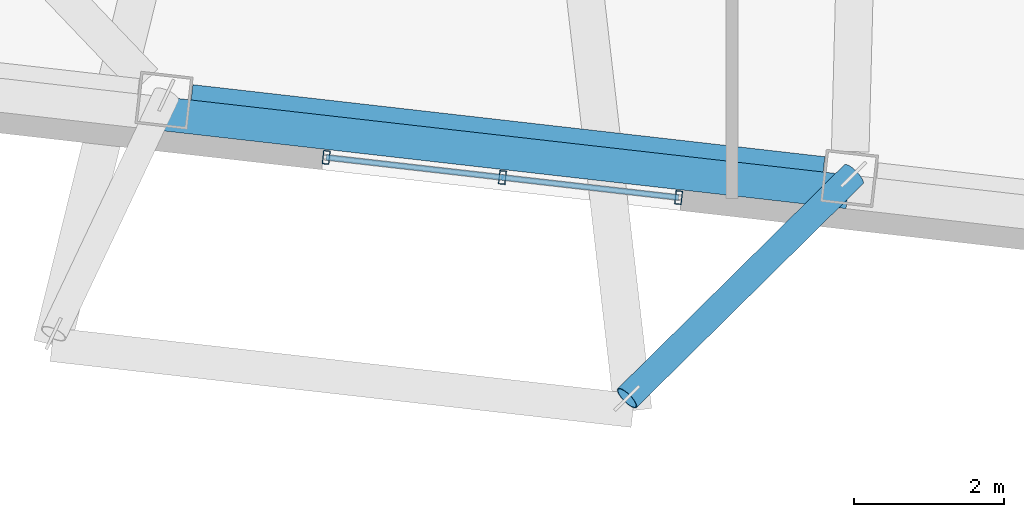
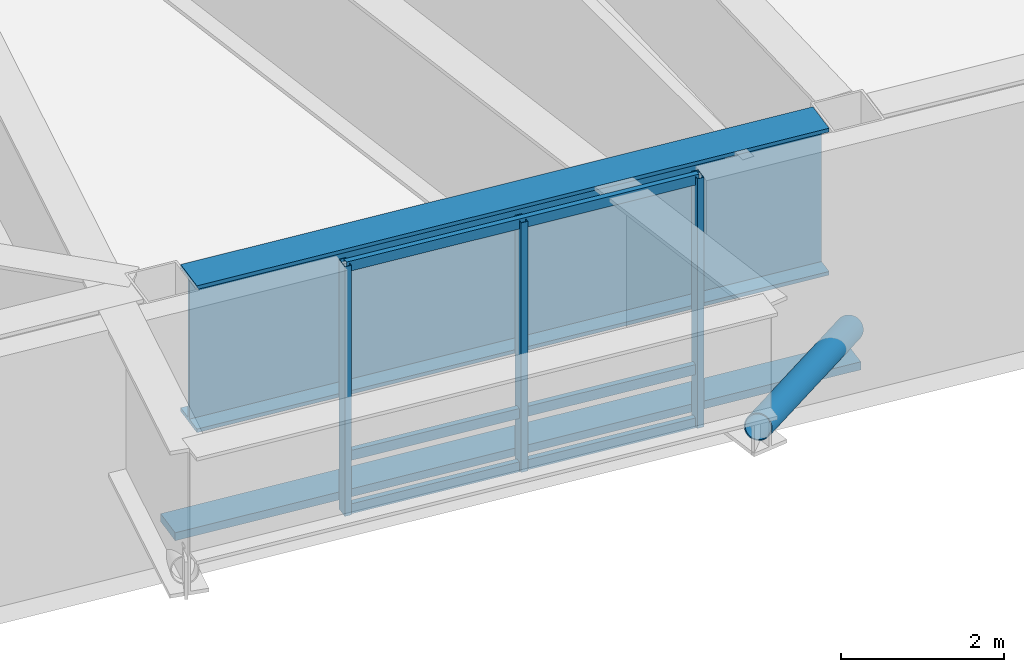
# One storey, part 2 of 21: 8 members, 1 beam, 1 element without a shape of its own.
"""IFC4 building model written with IfcOpenShell, lengths in metres."""

from ifc_helpers import new_model, si_unit, direction, frame, origin, origin_2d, place, context, subcontext, project, spatial, rectangle, hollow_rectangle, hollow_circle, i_section, extrude, material, layer, layer_set, material_profile, profile_set, type_object, element, aggregate, save


model = new_model("IFC4")

# Units and contexts
model_context = context("Model", 3, precision=1e-05, world=origin(), true_north=direction((0.0, 1.0)))
body_context = subcontext(model_context, "Body", "Model", "MODEL_VIEW")
ifc_project = project(units=[si_unit("LENGTHUNIT", "METRE"), si_unit("AREAUNIT", "SQUARE_METRE"), si_unit("VOLUMEUNIT", "CUBIC_METRE"), si_unit("PLANEANGLEUNIT", "RADIAN"), si_unit("MASSUNIT", "GRAM", prefix="KILO")], contexts=[model_context])

# Site, building, storey
site_placement = place(None, origin())
site = spatial("IfcSite", under=ifc_project, at=site_placement, CompositionType="ELEMENT")
building_placement = place(site_placement, origin())
building = spatial("IfcBuilding", under=site, at=building_placement, Name="Tavrogorsk Clinical Tower", CompositionType="ELEMENT")
storey_placement = place(building_placement, frame((0.0, 0.0, 89.39990234375)))
storey = spatial("IfcBuildingStorey", under=building, at=storey_placement, Name="L19", CompositionType="ELEMENT", Elevation=89.39990234375)

# Member
ifc_material_1 = material(Name="Anodised aluminium alloy AW-6063", Category="aluminium")
ifc_material_profile_1 = material_profile(ifc_material_1, rectangle(XDim=0.449951171875, YDim=0.1201171875, at=origin_2d()), Name="ALU-SUNSHADE-450x120")
ifc_profile_set_1 = profile_set([ifc_material_profile_1], Name="Anodised aluminium alloy AW-6063")
member_type_1 = type_object("IfcMemberType", Name="ChicagoSunshade_450x120", PredefinedType="USERDEFINED", material=ifc_profile_set_1)
member_1_placement = place(storey_placement, frame((-14.028076171875, -24.385498046875, 0.18017578125), z_axis=(0.993572654864, -0.113196199166, 0.0), x_axis=(0.113196199166, 0.993572654864, 0.0)))
element("IfcMember", 1, at=member_1_placement, inside=storey, type_object=member_type_1, Name="L19 South Aluminium Sunshade S3", ObjectType="SUNSHADE", PredefinedType="USERDEFINED", context=body_context, shape_type="SweptSolid", body=[
    extrude(rectangle(XDim=0.449951171875, YDim=0.1201171875, at=origin_2d()), origin(), (0.0, 0.0, 1.0), 9.17724609375),
])

# Curtain wall, members
ifc_material_2 = material(Name="Anodised aluminium and triple IGU glazing", Category="aluminium")
ifc_layer = layer(ifc_material_2, 0.179931640625)
ifc_layer_set = layer_set([ifc_layer], Name="Anodised aluminium and triple IGU glazing")
curtain_wall_type = type_object("IfcCurtainWallType", Name="CW3_SouthSlot", PredefinedType="NOTDEFINED", material=ifc_layer_set)
curtain_wall_placement = place(storey_placement, origin())
curtain_wall = element("IfcCurtainWall", 2, at=curtain_wall_placement, inside=storey, type_object=curtain_wall_type, Name="L19 Curtain Wall CW-L19-S-SLOT-1", PredefinedType="NOTDEFINED")
ifc_material_3 = material(Name="Anodised aluminium alloy AW-6060", Category="aluminium")
ifc_material_profile_2 = material_profile(ifc_material_3, hollow_rectangle(XDim=0.090087890625, YDim=0.179931640625, WallThickness=0.00634765625, at=origin_2d()), Name="RHS-180x90x6.3")
ifc_profile_set_2 = profile_set([ifc_material_profile_2], Name="Anodised aluminium alloy AW-6060")
member_type_2 = type_object("IfcMemberType", Name="CwMullion_180x90", PredefinedType="MULLION", material=ifc_profile_set_2)
member_2_placement = place(storey_placement, frame((-11.850341796875, -24.9658203125, 0.0), z_axis=(0.0, 0.0, 1.0), x_axis=(0.993571855603, -0.11320321441, 0.0)))
member_2 = element("IfcMember", 3, at=member_2_placement, type_object=member_type_2, Name="CW-L19-S-SLOT-1 Mullion 1", PredefinedType="MULLION", context=body_context, shape_type="SweptSolid", body=[
    extrude(hollow_rectangle(XDim=0.090087890625, YDim=0.179931640625, WallThickness=0.00634765625, at=origin_2d()), origin(), (0.0, 0.0, 1.0), 3.739990234375),
])
member_3_placement = place(storey_placement, frame((-9.50634765625, -25.23291015625, 0.0), z_axis=(0.0, 0.0, 1.0), x_axis=(0.993571855603, -0.11320321441, 0.0)))
member_3 = element("IfcMember", 4, at=member_3_placement, type_object=member_type_2, Name="CW-L19-S-SLOT-1 Mullion 2", PredefinedType="MULLION", context=body_context, shape_type="SweptSolid", body=[
    extrude(hollow_rectangle(XDim=0.090087890625, YDim=0.179931640625, WallThickness=0.00634765625, at=origin_2d()), origin(), (0.0, 0.0, 1.0), 3.739990234375),
])
member_4_placement = place(storey_placement, frame((-7.16259765625, -25.499755859375, 0.0), z_axis=(0.0, 0.0, 1.0), x_axis=(0.993571855603, -0.11320321441, 0.0)))
member_4 = element("IfcMember", 5, at=member_4_placement, type_object=member_type_2, Name="CW-L19-S-SLOT-1 Mullion 3", PredefinedType="MULLION", context=body_context, shape_type="SweptSolid", body=[
    extrude(hollow_rectangle(XDim=0.090087890625, YDim=0.179931640625, WallThickness=0.00634765625, at=origin_2d()), origin(), (0.0, 0.0, 1.0), 3.739990234375),
])
ifc_material_4 = material(Name="Anodised aluminium alloy AW-6060", Category="aluminium")
ifc_material_profile_3 = material_profile(ifc_material_4, hollow_rectangle(XDim=0.074951171875, YDim=0.14990234375, WallThickness=0.0048828125, at=origin_2d()), Name="RHS-150x75x5")
ifc_profile_set_3 = profile_set([ifc_material_profile_3], Name="Anodised aluminium alloy AW-6060")
member_type_3 = type_object("IfcMemberType", Name="CwTransom_150x75", PredefinedType="USERDEFINED", material=ifc_profile_set_3)
member_5_placement = place(storey_placement, frame((-11.850341796875, -24.9658203125, 0.050048828125), z_axis=(0.993575798904, -0.113168599146, 0.0), x_axis=(0.113168599146, 0.993575798904, 0.0)))
member_5 = element("IfcMember", 6, at=member_5_placement, type_object=member_type_3, Name="CW-L19-S-SLOT-1 Transom 1", ObjectType="TRANSOM", PredefinedType="USERDEFINED", context=body_context, shape_type="SweptSolid", body=[
    extrude(hollow_rectangle(XDim=0.074951171875, YDim=0.14990234375, WallThickness=0.0048828125, at=origin_2d()), origin(), (0.0, 0.0, 1.0), 4.718017578125),
])
member_6_placement = place(storey_placement, frame((-11.850341796875, -24.9658203125, 0.85009765625), z_axis=(0.993575798904, -0.113168599146, 0.0), x_axis=(0.113168599146, 0.993575798904, 0.0)))
member_6 = element("IfcMember", 7, at=member_6_placement, type_object=member_type_3, Name="CW-L19-S-SLOT-1 Transom 2", ObjectType="TRANSOM", PredefinedType="USERDEFINED", context=body_context, shape_type="SweptSolid", body=[
    extrude(hollow_rectangle(XDim=0.074951171875, YDim=0.14990234375, WallThickness=0.0048828125, at=origin_2d()), origin(), (0.0, 0.0, 1.0), 4.718017578125),
])
member_7_placement = place(storey_placement, frame((-11.850341796875, -24.9658203125, 3.690185546875), z_axis=(0.993575798904, -0.113168599146, 0.0), x_axis=(0.113168599146, 0.993575798904, 0.0)))
member_7 = element("IfcMember", 8, at=member_7_placement, type_object=member_type_3, Name="CW-L19-S-SLOT-1 Transom 3", ObjectType="TRANSOM", PredefinedType="USERDEFINED", context=body_context, shape_type="SweptSolid", body=[
    extrude(hollow_rectangle(XDim=0.074951171875, YDim=0.14990234375, WallThickness=0.0048828125, at=origin_2d()), origin(), (0.0, 0.0, 1.0), 4.718017578125),
])
aggregate(curtain_wall, [member_2, member_3, member_4, member_5, member_6, member_7])

# Member
ifc_material_5 = material(Name="Structural steel S390", Category="steel")
ifc_material_profile_4 = material_profile(ifc_material_5, hollow_circle(Radius=0.177734375, WallThickness=0.01416015625, at=origin_2d()), Name="CHS-355.6x14.2")
ifc_profile_set_4 = profile_set([ifc_material_profile_4], Name="Structural steel S390")
member_type_4 = type_object("IfcMemberType", Name="DayroomStrut_CHS355", PredefinedType="STRUT", material=ifc_profile_set_4)
member_8_placement = place(storey_placement, frame((-4.83544921875, -25.192138671875, 0.425048828125), z_axis=(-0.675976507925, -0.667706174697, 0.311807993811), x_axis=(0.702741245575, -0.711445529726, 0.0)))
element("IfcMember", 9, at=member_8_placement, inside=storey, type_object=member_type_4, Name="L20 Day-Room Raking Strut DRB-03-R", PredefinedType="STRUT", context=body_context, shape_type="SweptSolid", body=[
    extrude(hollow_circle(Radius=0.177734375, WallThickness=0.01416015625, at=origin_2d()), origin(), (0.0, 0.0, 1.0), 4.45751953125),
])

# Beam
ifc_material_6 = material(Name="Structural steel S440", Category="steel")
ifc_material_profile_5 = material_profile(ifc_material_6, i_section(OverallWidth=0.5, OverallDepth=2.199951171875, WebThickness=0.035888671875, FlangeThickness=0.054931640625, at=origin_2d()), Name="DK-2200x500x36x55")
ifc_profile_set_5 = profile_set([ifc_material_profile_5], Name="Structural steel S440")
beam_type = type_object("IfcBeamType", Name="TransferGirder_DK2200", PredefinedType="USERDEFINED", material=ifc_profile_set_5)
beam_placement = place(storey_placement, frame((-13.652099609375, -24.2470703125, 2.64013671875), z_axis=(0.993569449752, -0.113224328304, 0.0), x_axis=(0.113224328304, 0.993569449752, 0.0)))
element("IfcBeam", 10, at=beam_placement, inside=storey, type_object=beam_type, Name="L19 Perimeter Spandrel S3-S4", ObjectType="GIRDER", PredefinedType="USERDEFINED", context=body_context, shape_type="SweptSolid", body=[
    extrude(i_section(OverallWidth=0.5, OverallDepth=2.199951171875, WebThickness=0.035888671875, FlangeThickness=0.054931640625, at=origin_2d()), origin(), (0.0, 0.0, 1.0), 8.461181640625),
])

save(model, "model.ifc")
